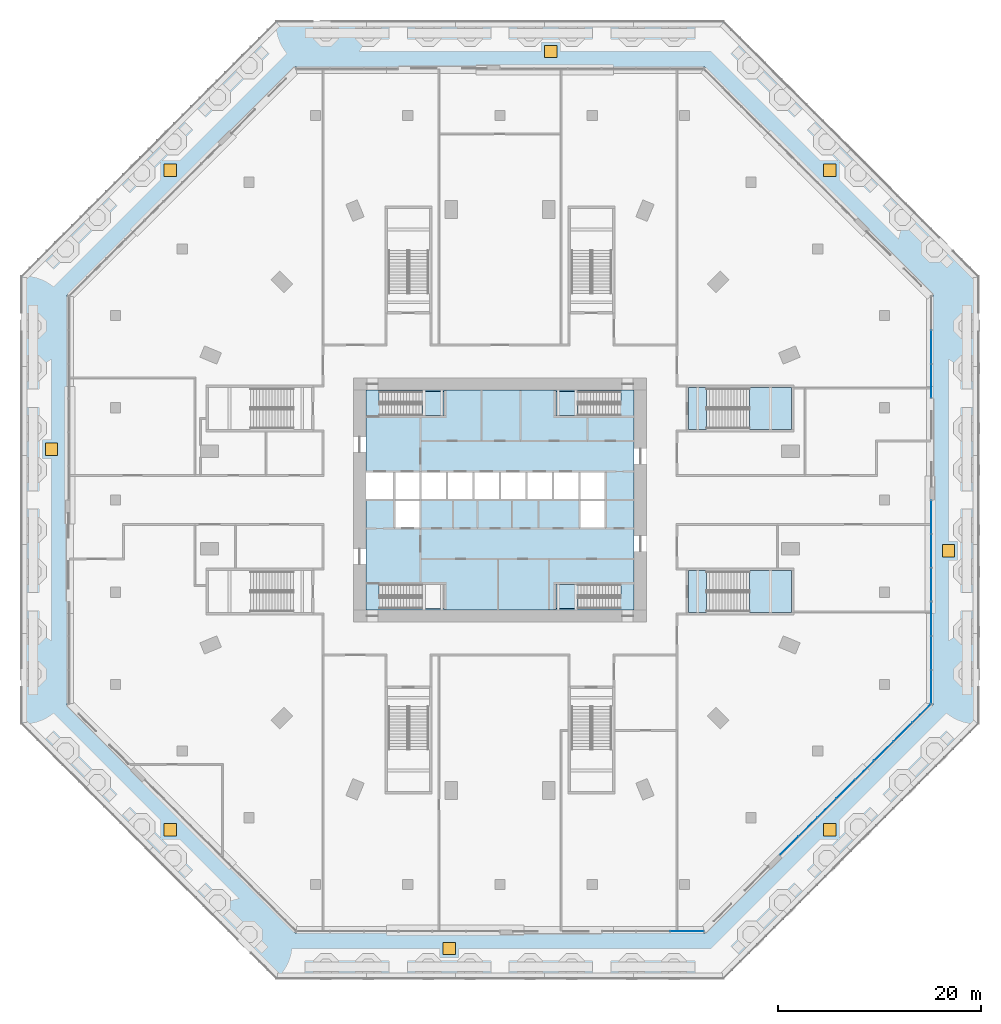
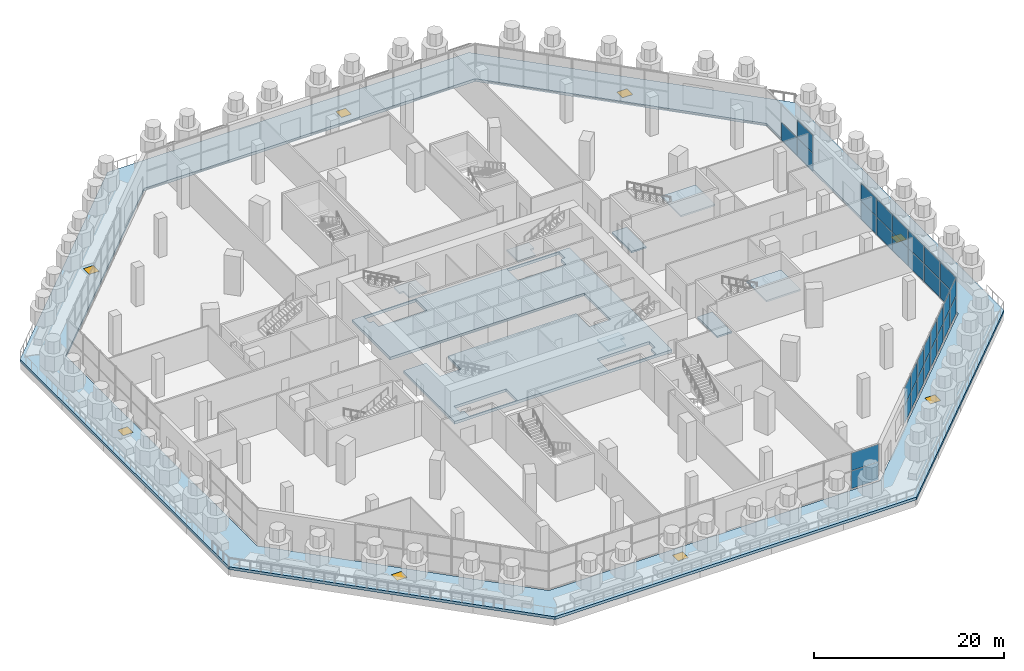
# One storey, part 19 of 32: 33 plates, 9 slabs, 8 windows, 8 openings, 11 elements without a shape of their own.
"""IFC4 building model written with IfcOpenShell, lengths in metres."""

from ifc_helpers import new_model, si_unit, direction, frame, origin, origin_2d, place, context, subcontext, project, spatial, polyline, rectangle, outline, extrude, material, layer, layer_set, type_object, element, fill, aggregate, save


model = new_model("IFC4")

# Units and contexts
model_context = context("Model", 3, precision=1e-05, world=origin(), true_north=direction((0.0, 1.0)))
body_context = subcontext(model_context, "Body", "Model", "MODEL_VIEW")
ifc_project = project(units=[si_unit("LENGTHUNIT", "METRE"), si_unit("AREAUNIT", "SQUARE_METRE"), si_unit("VOLUMEUNIT", "CUBIC_METRE"), si_unit("PLANEANGLEUNIT", "RADIAN"), si_unit("MASSUNIT", "GRAM", prefix="KILO")], contexts=[model_context])

# Site, building, storey
site_placement = place(None, origin())
site = spatial("IfcSite", under=ifc_project, at=site_placement, CompositionType="ELEMENT")
building_placement = place(site_placement, origin())
building = spatial("IfcBuilding", under=site, at=building_placement, Name="Msitu Wima Residences", CompositionType="ELEMENT")
storey_placement = place(building_placement, frame((0.0, 0.0, 6.0)))
storey = spatial("IfcBuildingStorey", under=building, at=storey_placement, Name="L01", CompositionType="ELEMENT", Elevation=6.0)

# Slab
ifc_material_1 = material(Name="Concrete C40/50", Category="concrete")
ifc_layer_1 = layer(ifc_material_1, 0.35009765625)
ifc_layer_set_1 = layer_set([ifc_layer_1], Name="Concrete C40/50")
slab_type_1 = type_object("IfcSlabType", Name="Core floor CF350", PredefinedType="FLOOR", material=ifc_layer_set_1)
slab_1_placement = place(storey_placement, frame((0.0, 0.0, -0.35009765625)))
element("IfcSlab", 1, at=slab_1_placement, inside=storey, type_object=slab_type_1, Name="Core floor", PredefinedType="FLOOR", context=body_context, shape_type="SweptSolid", body=[
    extrude(outline(polyline([(-13.199951171875, 10.800048828125), (-13.199951171875, 2.800048828125), (-10.39990234375, 2.800048828125), (-7.800048828125, 2.800048828125), (-5.199951171875, 2.800048828125), (-2.60009765625, 2.800048828125), (0.0, 2.800048828125), (2.60009765625, 2.800048828125), (5.199951171875, 2.800048828125), (7.800048828125, 2.800048828125), (10.39990234375, 2.800048828125), (10.39990234375, 0.0), (10.39990234375, -2.800048828125), (7.800048828125, -2.800048828125), (7.800048828125, 0.0), (5.199951171875, 0.0), (2.60009765625, 0.0), (0.0, 0.0), (-2.60009765625, 0.0), (-5.199951171875, 0.0), (-7.800048828125, 0.0), (-7.800048828125, -2.800048828125), (-10.39990234375, -2.800048828125), (-10.39990234375, 0.0), (-13.199951171875, 0.0), (-13.199951171875, -10.800048828125), (13.199951171875, -10.800048828125), (13.199951171875, 10.800048828125), (-13.199951171875, 10.800048828125)]), holes=[polyline([(-11.375, -10.675048828125), (-11.375, -9.574951171875), (-11.87451171875, -9.574951171875), (-11.87451171875, -8.324951171875), (-5.52490234375, -8.324951171875), (-5.52490234375, -10.675048828125), (-11.375, -10.675048828125)]), polyline([(-11.375, 9.425048828125), (-11.87451171875, 9.425048828125), (-11.87451171875, 10.675048828125), (-5.52490234375, 10.675048828125), (-5.52490234375, 8.324951171875), (-11.375, 8.324951171875), (-11.375, 9.425048828125)]), polyline([(11.375, -9.574951171875), (11.375, -10.675048828125), (5.52490234375, -10.675048828125), (5.52490234375, -8.324951171875), (11.87451171875, -8.324951171875), (11.87451171875, -9.574951171875), (11.375, -9.574951171875)]), polyline([(11.375, 9.425048828125), (11.375, 8.324951171875), (5.52490234375, 8.324951171875), (5.52490234375, 10.675048828125), (11.87451171875, 10.675048828125), (11.87451171875, 9.425048828125), (11.375, 9.425048828125)])]), origin(), (0.0, 0.0, 1.0), 0.35009765625),
])

# Curtain wall, plates
ifc_material_2 = material(Name="Anodised aluminium, bronze finish, clear low-emissivity double glazing", Category="aluminium")
curtain_wall_type = type_object("IfcCurtainWallType", Name="Curtain wall CW5 retail shopfront", PredefinedType="NOTDEFINED", material=ifc_material_2)
curtain_wall_1_placement = place(storey_placement, origin())
curtain_wall_1 = element("IfcCurtainWall", 2, at=curtain_wall_1_placement, inside=storey, type_object=curtain_wall_type, Name="Curtain wall CW5 L01 E0", PredefinedType="NOTDEFINED")
ifc_material_3 = material(Name="Clear low-emissivity double glazing", Category="glass")
ifc_layer_2 = layer(ifc_material_3, 0.031982421875)
ifc_layer_set_2 = layer_set([ifc_layer_2], Name="Clear low-emissivity double glazing")
plate_type = type_object("IfcPlateType", Name="Glass panel CW5 32", PredefinedType="CURTAIN_PANEL", material=ifc_layer_set_2)
plate_1_placement = place(storey_placement, frame((42.39990234375, -18.38720703125, 0.06494140625), z_axis=(0.0, 0.0, 1.0), x_axis=(0.0, 1.0, 0.0)))
plate_1 = element("IfcPlate", 3, at=plate_1_placement, type_object=plate_type, Name="CW5 panel 1.1", PredefinedType="CURTAIN_PANEL", context=body_context, shape_type="SweptSolid", body=[
    extrude(rectangle(XDim=3.265625, YDim=0.031982421875, at=origin_2d()), origin(), (0.0, 0.0, 1.0), 2.25244140625),
])
plate_2_placement = place(storey_placement, frame((42.39990234375, -18.38720703125, 2.382568359375), z_axis=(0.0, 0.0, 1.0), x_axis=(0.0, 1.0, 0.0)))
plate_2 = element("IfcPlate", 4, at=plate_2_placement, type_object=plate_type, Name="CW5 panel 1.2", PredefinedType="CURTAIN_PANEL", context=body_context, shape_type="SweptSolid", body=[
    extrude(rectangle(XDim=3.265625, YDim=0.031982421875, at=origin_2d()), origin(), (0.0, 0.0, 1.0), 2.25244140625),
])
plate_3_placement = place(storey_placement, frame((42.39990234375, -15.04052734375, 0.06494140625), z_axis=(0.0, 0.0, 1.0), x_axis=(0.0, 1.0, 0.0)))
plate_3 = element("IfcPlate", 5, at=plate_3_placement, type_object=plate_type, Name="CW5 panel 2.1", PredefinedType="CURTAIN_PANEL", context=body_context, shape_type="SweptSolid", body=[
    extrude(rectangle(XDim=3.298095703125, YDim=0.031982421875, at=origin_2d()), origin(), (0.0, 0.0, 1.0), 2.25244140625),
])
plate_4_placement = place(storey_placement, frame((42.39990234375, -15.04052734375, 2.382568359375), z_axis=(0.0, 0.0, 1.0), x_axis=(0.0, 1.0, 0.0)))
plate_4 = element("IfcPlate", 6, at=plate_4_placement, type_object=plate_type, Name="CW5 panel 2.2", PredefinedType="CURTAIN_PANEL", context=body_context, shape_type="SweptSolid", body=[
    extrude(rectangle(XDim=3.298095703125, YDim=0.031982421875, at=origin_2d()), origin(), (0.0, 0.0, 1.0), 2.25244140625),
])
plate_5_placement = place(storey_placement, frame((42.39990234375, -11.693603515625, 0.06494140625), z_axis=(0.0, 0.0, 1.0), x_axis=(0.0, 1.0, 0.0)))
plate_5 = element("IfcPlate", 7, at=plate_5_placement, type_object=plate_type, Name="CW5 panel 3.1", PredefinedType="CURTAIN_PANEL", context=body_context, shape_type="SweptSolid", body=[
    extrude(rectangle(XDim=3.265625, YDim=0.031982421875, at=origin_2d()), origin(), (0.0, 0.0, 1.0), 2.25244140625),
])
plate_6_placement = place(storey_placement, frame((42.39990234375, -11.693603515625, 2.382568359375), z_axis=(0.0, 0.0, 1.0), x_axis=(0.0, 1.0, 0.0)))
plate_6 = element("IfcPlate", 8, at=plate_6_placement, type_object=plate_type, Name="CW5 panel 3.2", PredefinedType="CURTAIN_PANEL", context=body_context, shape_type="SweptSolid", body=[
    extrude(rectangle(XDim=3.265625, YDim=0.031982421875, at=origin_2d()), origin(), (0.0, 0.0, 1.0), 2.25244140625),
])
aggregate(curtain_wall_1, [plate_1, plate_2, plate_3, plate_4, plate_5, plate_6])

curtain_wall_2_placement = place(storey_placement, origin())
curtain_wall_2 = element("IfcCurtainWall", 9, at=curtain_wall_2_placement, inside=storey, type_object=curtain_wall_type, Name="Curtain wall CW5 L01 E1", PredefinedType="NOTDEFINED")
plate_7_placement = place(storey_placement, frame((42.39990234375, -8.313720703125, 0.06494140625), z_axis=(0.0, 0.0, 1.0), x_axis=(0.0, 1.0, 0.0)))
plate_7 = element("IfcPlate", 10, at=plate_7_placement, type_object=plate_type, Name="CW5 panel 1.1", PredefinedType="CURTAIN_PANEL", context=body_context, shape_type="SweptSolid", body=[
    extrude(rectangle(XDim=3.234375, YDim=0.031982421875, at=origin_2d()), origin(), (0.0, 0.0, 1.0), 2.25244140625),
])
plate_8_placement = place(storey_placement, frame((42.39990234375, -8.313720703125, 2.382568359375), z_axis=(0.0, 0.0, 1.0), x_axis=(0.0, 1.0, 0.0)))
plate_8 = element("IfcPlate", 11, at=plate_8_placement, type_object=plate_type, Name="CW5 panel 1.2", PredefinedType="CURTAIN_PANEL", context=body_context, shape_type="SweptSolid", body=[
    extrude(rectangle(XDim=3.234375, YDim=0.031982421875, at=origin_2d()), origin(), (0.0, 0.0, 1.0), 2.25244140625),
])
plate_9_placement = place(storey_placement, frame((42.39990234375, -4.998046875, 0.06494140625), z_axis=(0.0, 0.0, 1.0), x_axis=(0.0, 1.0, 0.0)))
plate_9 = element("IfcPlate", 12, at=plate_9_placement, type_object=plate_type, Name="CW5 panel 2.1", PredefinedType="CURTAIN_PANEL", context=body_context, shape_type="SweptSolid", body=[
    extrude(rectangle(XDim=3.26708984375, YDim=0.031982421875, at=origin_2d()), origin(), (0.0, 0.0, 1.0), 2.25244140625),
])
plate_10_placement = place(storey_placement, frame((42.39990234375, -4.998046875, 2.382568359375), z_axis=(0.0, 0.0, 1.0), x_axis=(0.0, 1.0, 0.0)))
plate_10 = element("IfcPlate", 13, at=plate_10_placement, type_object=plate_type, Name="CW5 panel 2.2", PredefinedType="CURTAIN_PANEL", context=body_context, shape_type="SweptSolid", body=[
    extrude(rectangle(XDim=3.26708984375, YDim=0.031982421875, at=origin_2d()), origin(), (0.0, 0.0, 1.0), 2.25244140625),
])
plate_11_placement = place(storey_placement, frame((42.39990234375, -1.68212890625, 0.06494140625), z_axis=(0.0, 0.0, 1.0), x_axis=(0.0, 1.0, 0.0)))
plate_11 = element("IfcPlate", 14, at=plate_11_placement, type_object=plate_type, Name="CW5 panel 3.1", PredefinedType="CURTAIN_PANEL", context=body_context, shape_type="SweptSolid", body=[
    extrude(rectangle(XDim=3.234375, YDim=0.031982421875, at=origin_2d()), origin(), (0.0, 0.0, 1.0), 2.25244140625),
])
plate_12_placement = place(storey_placement, frame((42.39990234375, -1.68212890625, 2.382568359375), z_axis=(0.0, 0.0, 1.0), x_axis=(0.0, 1.0, 0.0)))
plate_12 = element("IfcPlate", 15, at=plate_12_placement, type_object=plate_type, Name="CW5 panel 3.2", PredefinedType="CURTAIN_PANEL", context=body_context, shape_type="SweptSolid", body=[
    extrude(rectangle(XDim=3.234375, YDim=0.031982421875, at=origin_2d()), origin(), (0.0, 0.0, 1.0), 2.25244140625),
])
aggregate(curtain_wall_2, [plate_7, plate_8, plate_9, plate_10, plate_11, plate_12])

curtain_wall_3_placement = place(storey_placement, origin())
curtain_wall_3 = element("IfcCurtainWall", 16, at=curtain_wall_3_placement, inside=storey, type_object=curtain_wall_type, Name="Curtain wall CW5 L01 E3", PredefinedType="NOTDEFINED")
plate_13_placement = place(storey_placement, frame((42.39990234375, 11.693603515625, 0.06494140625), z_axis=(0.0, 0.0, 1.0), x_axis=(0.0, 1.0, 0.0)))
plate_13 = element("IfcPlate", 17, at=plate_13_placement, type_object=plate_type, Name="CW5 panel 1.1", PredefinedType="CURTAIN_PANEL", context=body_context, shape_type="SweptSolid", body=[
    extrude(rectangle(XDim=3.265625, YDim=0.031982421875, at=origin_2d()), origin(), (0.0, 0.0, 1.0), 2.25244140625),
])
plate_14_placement = place(storey_placement, frame((42.39990234375, 11.693603515625, 2.382568359375), z_axis=(0.0, 0.0, 1.0), x_axis=(0.0, 1.0, 0.0)))
plate_14 = element("IfcPlate", 18, at=plate_14_placement, type_object=plate_type, Name="CW5 panel 1.2", PredefinedType="CURTAIN_PANEL", context=body_context, shape_type="SweptSolid", body=[
    extrude(rectangle(XDim=3.265625, YDim=0.031982421875, at=origin_2d()), origin(), (0.0, 0.0, 1.0), 2.25244140625),
])
plate_15_placement = place(storey_placement, frame((42.39990234375, 15.04052734375, 0.06494140625), z_axis=(0.0, 0.0, 1.0), x_axis=(0.0, 1.0, 0.0)))
plate_15 = element("IfcPlate", 19, at=plate_15_placement, type_object=plate_type, Name="CW5 panel 2.1", PredefinedType="CURTAIN_PANEL", context=body_context, shape_type="SweptSolid", body=[
    extrude(rectangle(XDim=3.298095703125, YDim=0.031982421875, at=origin_2d()), origin(), (0.0, 0.0, 1.0), 2.25244140625),
])
aggregate(curtain_wall_3, [plate_13, plate_14, plate_15])

curtain_wall_4_placement = place(storey_placement, origin())
curtain_wall_4 = element("IfcCurtainWall", 20, at=curtain_wall_4_placement, inside=storey, type_object=curtain_wall_type, Name="Curtain wall CW5 L01 S3", PredefinedType="NOTDEFINED")
plate_16_placement = place(storey_placement, frame((18.38720703125, -42.39990234375, 0.06494140625), z_axis=(0.0, 0.0, 1.0), x_axis=(1.0, 0.0, 0.0)))
plate_16 = element("IfcPlate", 21, at=plate_16_placement, type_object=plate_type, Name="CW5 panel 3.1", PredefinedType="CURTAIN_PANEL", context=body_context, shape_type="SweptSolid", body=[
    extrude(rectangle(XDim=3.265625, YDim=0.031982421875, at=origin_2d()), origin(), (0.0, 0.0, 1.0), 2.25244140625),
])
plate_17_placement = place(storey_placement, frame((18.38720703125, -42.39990234375, 2.382568359375), z_axis=(0.0, 0.0, 1.0), x_axis=(1.0, 0.0, 0.0)))
plate_17 = element("IfcPlate", 22, at=plate_17_placement, type_object=plate_type, Name="CW5 panel 3.2", PredefinedType="CURTAIN_PANEL", context=body_context, shape_type="SweptSolid", body=[
    extrude(rectangle(XDim=3.265625, YDim=0.031982421875, at=origin_2d()), origin(), (0.0, 0.0, 1.0), 2.25244140625),
])
aggregate(curtain_wall_4, [plate_16, plate_17])

curtain_wall_5_placement = place(storey_placement, origin())
curtain_wall_5 = element("IfcCurtainWall", 23, at=curtain_wall_5_placement, inside=storey, type_object=curtain_wall_type, Name="Curtain wall CW5 L01 SE1", PredefinedType="NOTDEFINED")
plate_18_placement = place(storey_placement, frame((28.439697265625, -33.99365234375, 0.06494140625), z_axis=(0.0, 0.0, 1.0), x_axis=(0.707106781187, 0.707106781187, 0.0)))
plate_18 = element("IfcPlate", 24, at=plate_18_placement, type_object=plate_type, Name="CW5 panel 1.1", PredefinedType="CURTAIN_PANEL", context=body_context, shape_type="SweptSolid", body=[
    extrude(rectangle(XDim=2.531494140625, YDim=0.031982421875, at=origin_2d()), origin(), (0.0, 0.0, 1.0), 2.25244140625),
])
plate_19_placement = place(storey_placement, frame((28.439697265625, -33.99365234375, 2.382568359375), z_axis=(0.0, 0.0, 1.0), x_axis=(0.707106781187, 0.707106781187, 0.0)))
plate_19 = element("IfcPlate", 25, at=plate_19_placement, type_object=plate_type, Name="CW5 panel 1.2", PredefinedType="CURTAIN_PANEL", context=body_context, shape_type="SweptSolid", body=[
    extrude(rectangle(XDim=2.531494140625, YDim=0.031982421875, at=origin_2d()), origin(), (0.0, 0.0, 1.0), 2.25244140625),
])
plate_20_placement = place(storey_placement, frame((30.287109375, -32.146240234375, 0.06494140625), z_axis=(0.0, 0.0, 1.0), x_axis=(0.707106781187, 0.707106781187, 0.0)))
plate_20 = element("IfcPlate", 26, at=plate_20_placement, type_object=plate_type, Name="CW5 panel 2.1", PredefinedType="CURTAIN_PANEL", context=body_context, shape_type="SweptSolid", body=[
    extrude(rectangle(XDim=2.56396484375, YDim=0.031982421875, at=origin_2d()), origin(), (0.0, 0.0, 1.0), 2.25244140625),
])
plate_21_placement = place(storey_placement, frame((30.287109375, -32.146240234375, 2.382568359375), z_axis=(0.0, 0.0, 1.0), x_axis=(0.707106781187, 0.707106781187, 0.0)))
plate_21 = element("IfcPlate", 27, at=plate_21_placement, type_object=plate_type, Name="CW5 panel 2.2", PredefinedType="CURTAIN_PANEL", context=body_context, shape_type="SweptSolid", body=[
    extrude(rectangle(XDim=2.56396484375, YDim=0.031982421875, at=origin_2d()), origin(), (0.0, 0.0, 1.0), 2.25244140625),
])
plate_22_placement = place(storey_placement, frame((32.146240234375, -30.287109375, 0.06494140625), z_axis=(0.0, 0.0, 1.0), x_axis=(0.707106781187, 0.707106781187, 0.0)))
plate_22 = element("IfcPlate", 28, at=plate_22_placement, type_object=plate_type, Name="CW5 panel 3.1", PredefinedType="CURTAIN_PANEL", context=body_context, shape_type="SweptSolid", body=[
    extrude(rectangle(XDim=2.56396484375, YDim=0.031982421875, at=origin_2d()), origin(), (0.0, 0.0, 1.0), 2.25244140625),
])
plate_23_placement = place(storey_placement, frame((32.146240234375, -30.287109375, 2.382568359375), z_axis=(0.0, 0.0, 1.0), x_axis=(0.707106781187, 0.707106781187, 0.0)))
plate_23 = element("IfcPlate", 29, at=plate_23_placement, type_object=plate_type, Name="CW5 panel 3.2", PredefinedType="CURTAIN_PANEL", context=body_context, shape_type="SweptSolid", body=[
    extrude(rectangle(XDim=2.56396484375, YDim=0.031982421875, at=origin_2d()), origin(), (0.0, 0.0, 1.0), 2.25244140625),
])
plate_24_placement = place(storey_placement, frame((33.99365234375, -28.439697265625, 0.06494140625), z_axis=(0.0, 0.0, 1.0), x_axis=(0.707106781187, 0.707106781187, 0.0)))
plate_24 = element("IfcPlate", 30, at=plate_24_placement, type_object=plate_type, Name="CW5 panel 4.1", PredefinedType="CURTAIN_PANEL", context=body_context, shape_type="SweptSolid", body=[
    extrude(rectangle(XDim=2.531494140625, YDim=0.031982421875, at=origin_2d()), origin(), (0.0, 0.0, 1.0), 2.25244140625),
])
plate_25_placement = place(storey_placement, frame((33.99365234375, -28.439697265625, 2.382568359375), z_axis=(0.0, 0.0, 1.0), x_axis=(0.707106781187, 0.707106781187, 0.0)))
plate_25 = element("IfcPlate", 31, at=plate_25_placement, type_object=plate_type, Name="CW5 panel 4.2", PredefinedType="CURTAIN_PANEL", context=body_context, shape_type="SweptSolid", body=[
    extrude(rectangle(XDim=2.531494140625, YDim=0.031982421875, at=origin_2d()), origin(), (0.0, 0.0, 1.0), 2.25244140625),
])
aggregate(curtain_wall_5, [plate_18, plate_19, plate_20, plate_21, plate_22, plate_23, plate_24, plate_25])

curtain_wall_6_placement = place(storey_placement, origin())
curtain_wall_6 = element("IfcCurtainWall", 32, at=curtain_wall_6_placement, inside=storey, type_object=curtain_wall_type, Name="Curtain wall CW5 L01 SE2", PredefinedType="NOTDEFINED")
plate_26_placement = place(storey_placement, frame((35.8837890625, -26.54931640625, 0.06494140625), z_axis=(0.0, 0.0, 1.0), x_axis=(0.707106781187, 0.707106781187, 0.0)))
plate_26 = element("IfcPlate", 33, at=plate_26_placement, type_object=plate_type, Name="CW5 panel 1.1", PredefinedType="CURTAIN_PANEL", context=body_context, shape_type="SweptSolid", body=[
    extrude(rectangle(XDim=2.554931640625, YDim=0.031982421875, at=origin_2d()), origin(), (0.0, 0.0, 1.0), 2.25244140625),
])
plate_27_placement = place(storey_placement, frame((35.8837890625, -26.54931640625, 2.382568359375), z_axis=(0.0, 0.0, 1.0), x_axis=(0.707106781187, 0.707106781187, 0.0)))
plate_27 = element("IfcPlate", 34, at=plate_27_placement, type_object=plate_type, Name="CW5 panel 1.2", PredefinedType="CURTAIN_PANEL", context=body_context, shape_type="SweptSolid", body=[
    extrude(rectangle(XDim=2.554931640625, YDim=0.031982421875, at=origin_2d()), origin(), (0.0, 0.0, 1.0), 2.25244140625),
])
plate_28_placement = place(storey_placement, frame((37.747802734375, -24.685302734375, 0.06494140625), z_axis=(0.0, 0.0, 1.0), x_axis=(0.707106781187, 0.707106781187, 0.0)))
plate_28 = element("IfcPlate", 35, at=plate_28_placement, type_object=plate_type, Name="CW5 panel 2.1", PredefinedType="CURTAIN_PANEL", context=body_context, shape_type="SweptSolid", body=[
    extrude(rectangle(XDim=2.58740234375, YDim=0.031982421875, at=origin_2d()), origin(), (0.0, 0.0, 1.0), 2.25244140625),
])
plate_29_placement = place(storey_placement, frame((37.747802734375, -24.685302734375, 2.382568359375), z_axis=(0.0, 0.0, 1.0), x_axis=(0.707106781187, 0.707106781187, 0.0)))
plate_29 = element("IfcPlate", 36, at=plate_29_placement, type_object=plate_type, Name="CW5 panel 2.2", PredefinedType="CURTAIN_PANEL", context=body_context, shape_type="SweptSolid", body=[
    extrude(rectangle(XDim=2.58740234375, YDim=0.031982421875, at=origin_2d()), origin(), (0.0, 0.0, 1.0), 2.25244140625),
])
plate_30_placement = place(storey_placement, frame((39.623291015625, -22.809814453125, 0.06494140625), z_axis=(0.0, 0.0, 1.0), x_axis=(0.707106781187, 0.707106781187, 0.0)))
plate_30 = element("IfcPlate", 37, at=plate_30_placement, type_object=plate_type, Name="CW5 panel 3.1", PredefinedType="CURTAIN_PANEL", context=body_context, shape_type="SweptSolid", body=[
    extrude(rectangle(XDim=2.58740234375, YDim=0.031982421875, at=origin_2d()), origin(), (0.0, 0.0, 1.0), 2.25244140625),
])
plate_31_placement = place(storey_placement, frame((39.623291015625, -22.809814453125, 2.382568359375), z_axis=(0.0, 0.0, 1.0), x_axis=(0.707106781187, 0.707106781187, 0.0)))
plate_31 = element("IfcPlate", 38, at=plate_31_placement, type_object=plate_type, Name="CW5 panel 3.2", PredefinedType="CURTAIN_PANEL", context=body_context, shape_type="SweptSolid", body=[
    extrude(rectangle(XDim=2.58740234375, YDim=0.031982421875, at=origin_2d()), origin(), (0.0, 0.0, 1.0), 2.25244140625),
])
plate_32_placement = place(storey_placement, frame((41.4873046875, -20.946044921875, 0.06494140625), z_axis=(0.0, 0.0, 1.0), x_axis=(0.707106781187, 0.707106781187, 0.0)))
plate_32 = element("IfcPlate", 39, at=plate_32_placement, type_object=plate_type, Name="CW5 panel 4.1", PredefinedType="CURTAIN_PANEL", context=body_context, shape_type="SweptSolid", body=[
    extrude(rectangle(XDim=2.554931640625, YDim=0.031982421875, at=origin_2d()), origin(), (0.0, 0.0, 1.0), 2.25244140625),
])
plate_33_placement = place(storey_placement, frame((41.4873046875, -20.946044921875, 2.382568359375), z_axis=(0.0, 0.0, 1.0), x_axis=(0.707106781187, 0.707106781187, 0.0)))
plate_33 = element("IfcPlate", 40, at=plate_33_placement, type_object=plate_type, Name="CW5 panel 4.2", PredefinedType="CURTAIN_PANEL", context=body_context, shape_type="SweptSolid", body=[
    extrude(rectangle(XDim=2.554931640625, YDim=0.031982421875, at=origin_2d()), origin(), (0.0, 0.0, 1.0), 2.25244140625),
])
aggregate(curtain_wall_6, [plate_26, plate_27, plate_28, plate_29, plate_30, plate_31, plate_32, plate_33])

# Stair, slab
stair_type_1 = type_object("IfcStairType", Name="Exit stair ES1667-110", PredefinedType="HALF_TURN_STAIR", material=ifc_material_1)
stair_1_placement = place(storey_placement, origin())
stair_1 = element("IfcStair", 41, at=stair_1_placement, inside=storey, type_object=stair_type_1, Name="Exit stair 1", PredefinedType="HALF_TURN_STAIR")
ifc_layer_3 = layer(ifc_material_1, 0.199951171875)
ifc_layer_set_3 = layer_set([ifc_layer_3], Name="Concrete C40/50")
slab_type_2 = type_object("IfcSlabType", Name="Stair landing SL200", PredefinedType="LANDING", material=ifc_layer_set_3)
slab_2_placement = place(storey_placement, frame((0.0, 0.0, 2.300048828125)))
slab_2 = element("IfcSlab", 42, at=slab_2_placement, type_object=slab_type_2, Name="S1 landing 1", PredefinedType="LANDING", context=body_context, shape_type="SweptSolid", body=[
    extrude(outline(polyline([(-5.52490234375, 8.324951171875), (-7.675537109375, 8.324951171875), (-7.675537109375, 9.5), (-8.175048828125, 9.5), (-8.175048828125, 10.675048828125), (-5.52490234375, 10.675048828125), (-5.52490234375, 8.324951171875)])), origin(), (0.0, 0.0, 1.0), 0.199951171875),
])
aggregate(stair_1, [slab_2])

stair_2_placement = place(storey_placement, origin())
stair_2 = element("IfcStair", 43, at=stair_2_placement, inside=storey, type_object=stair_type_1, Name="Exit stair 3", PredefinedType="HALF_TURN_STAIR")
slab_3_placement = place(storey_placement, frame((0.0, 0.0, 2.300048828125)))
slab_3 = element("IfcSlab", 44, at=slab_3_placement, type_object=slab_type_2, Name="S3 landing 1", PredefinedType="LANDING", context=body_context, shape_type="SweptSolid", body=[
    extrude(outline(polyline([(5.52490234375, 8.324951171875), (7.675537109375, 8.324951171875), (7.675537109375, 9.5), (8.175048828125, 9.5), (8.175048828125, 10.675048828125), (5.52490234375, 10.675048828125), (5.52490234375, 8.324951171875)])), origin(), (0.0, 0.0, 1.0), 0.199951171875),
])
aggregate(stair_2, [slab_3])

stair_3_placement = place(storey_placement, origin())
stair_3 = element("IfcStair", 45, at=stair_3_placement, inside=storey, type_object=stair_type_1, Name="Exit stair 4", PredefinedType="HALF_TURN_STAIR")
slab_4_placement = place(storey_placement, frame((0.0, 0.0, 2.300048828125)))
slab_4 = element("IfcSlab", 46, at=slab_4_placement, type_object=slab_type_2, Name="S4 landing 1", PredefinedType="LANDING", context=body_context, shape_type="SweptSolid", body=[
    extrude(outline(polyline([(5.52490234375, -10.675048828125), (7.675537109375, -10.675048828125), (7.675537109375, -9.5), (8.175048828125, -9.5), (8.175048828125, -8.324951171875), (5.52490234375, -8.324951171875), (5.52490234375, -10.675048828125)])), origin(), (0.0, 0.0, 1.0), 0.199951171875),
])
aggregate(stair_3, [slab_4])

stair_type_2 = type_object("IfcStairType", Name="Podium exit stair PX1667-190", PredefinedType="HALF_TURN_STAIR", material=ifc_material_1)
stair_4_placement = place(storey_placement, origin())
stair_4 = element("IfcStair", 47, at=stair_4_placement, inside=storey, type_object=stair_type_2, Name="Podium exit stair 1", PredefinedType="HALF_TURN_STAIR")
slab_5_placement = place(storey_placement, frame((0.0, 0.0, 2.300048828125)))
slab_5 = element("IfcSlab", 48, at=slab_5_placement, type_object=slab_type_2, Name="PS1 landing 1", PredefinedType="LANDING", context=body_context, shape_type="SweptSolid", body=[
    extrude(outline(polyline([(24.52490234375, 6.925048828125), (28.675048828125, 6.925048828125), (28.675048828125, 11.074951171875), (24.52490234375, 11.074951171875), (24.52490234375, 6.925048828125)])), origin(), (0.0, 0.0, 1.0), 0.199951171875),
])
aggregate(stair_4, [slab_5])

# Slab
slab_6_placement = place(storey_placement, frame((0.0, 0.0, -0.199951171875)))
element("IfcSlab", 49, at=slab_6_placement, inside=storey, type_object=slab_type_2, Name="Podium exit stair 1 floor landing", PredefinedType="LANDING", context=body_context, shape_type="SweptSolid", body=[
    extrude(outline(polyline([(18.52490234375, 6.925048828125), (20.324951171875, 6.925048828125), (20.324951171875, 11.074951171875), (18.52490234375, 11.074951171875), (18.52490234375, 6.925048828125)])), origin(), (0.0, 0.0, 1.0), 0.199951171875),
])

# Stair, slab
stair_5_placement = place(storey_placement, origin())
stair_5 = element("IfcStair", 50, at=stair_5_placement, inside=storey, type_object=stair_type_2, Name="Podium exit stair 2", PredefinedType="HALF_TURN_STAIR")
slab_7_placement = place(storey_placement, frame((0.0, 0.0, 2.300048828125)))
slab_7 = element("IfcSlab", 51, at=slab_7_placement, type_object=slab_type_2, Name="PS2 landing 1", PredefinedType="LANDING", context=body_context, shape_type="SweptSolid", body=[
    extrude(outline(polyline([(24.52490234375, -6.925048828125), (28.675048828125, -6.925048828125), (28.675048828125, -11.074951171875), (24.52490234375, -11.074951171875), (24.52490234375, -6.925048828125)])), origin(), (0.0, 0.0, 1.0), 0.199951171875),
])
aggregate(stair_5, [slab_7])

# Slab
slab_8_placement = place(storey_placement, frame((0.0, 0.0, -0.199951171875)))
element("IfcSlab", 52, at=slab_8_placement, inside=storey, type_object=slab_type_2, Name="Podium exit stair 2 floor landing", PredefinedType="LANDING", context=body_context, shape_type="SweptSolid", body=[
    extrude(outline(polyline([(18.52490234375, -6.925048828125), (20.324951171875, -6.925048828125), (20.324951171875, -11.074951171875), (18.52490234375, -11.074951171875), (18.52490234375, -6.925048828125)])), origin(), (0.0, 0.0, 1.0), 0.199951171875),
])

# Slab, openings, windows
ifc_layer_4 = layer(ifc_material_1, 0.35009765625)
ifc_layer_set_4 = layer_set([ifc_layer_4], Name="Concrete C40/50")
slab_type_3 = type_object("IfcSlabType", Name="Terrace roof slab TS350", PredefinedType="ROOF", material=ifc_layer_set_4)
slab_9_placement = place(storey_placement, frame((0.0, 0.0, -0.35009765625)))
slab_9 = element("IfcSlab", 53, at=slab_9_placement, inside=storey, type_object=slab_type_3, Name="Garden terrace L00 roof slab", PredefinedType="ROOF", context=body_context, shape_type="SweptSolid", body=[
    extrude(outline(polyline([(21.980224609375, -47.10009765625), (-21.980224609375, -47.10009765625), (-47.10009765625, -21.980224609375), (-47.10009765625, 21.980224609375), (-21.980224609375, 47.10009765625), (21.980224609375, 47.10009765625), (47.10009765625, 21.980224609375), (47.10009765625, -21.980224609375), (21.980224609375, -47.10009765625)]), holes=[polyline([(42.60009765625, 20.1162109375), (20.1162109375, 42.60009765625), (-20.1162109375, 42.60009765625), (-42.60009765625, 20.1162109375), (-42.60009765625, -20.1162109375), (-20.1162109375, -42.60009765625), (20.1162109375, -42.60009765625), (42.60009765625, -20.1162109375), (42.60009765625, 20.1162109375)])]), origin(), (0.0, 0.0, 1.0), 0.35009765625),
])
opening_1_placement = place(slab_9_placement, frame((44.10009765625, -4.998046875, 0.0)))
opening_1 = element("IfcOpeningElement", 54, at=opening_1_placement, cuts=slab_9, Name="Opening HL1", PredefinedType="OPENING", context=body_context, shape_type="SweptSolid", body=[
    extrude(rectangle(XDim=1.199951171875, YDim=1.199951171875, at=origin_2d()), origin(), (0.0, 0.0, 1.0), 0.35009765625),
])
opening_2_placement = place(slab_9_placement, frame((32.418701171875, 32.418701171875, 0.0)))
opening_2 = element("IfcOpeningElement", 55, at=opening_2_placement, cuts=slab_9, Name="Opening HL1", PredefinedType="OPENING", context=body_context, shape_type="SweptSolid", body=[
    extrude(rectangle(XDim=1.199951171875, YDim=1.199951171875, at=origin_2d()), origin(), (0.0, 0.0, 1.0), 0.35009765625),
])
opening_3_placement = place(slab_9_placement, frame((4.998046875, 44.10009765625, 0.0)))
opening_3 = element("IfcOpeningElement", 56, at=opening_3_placement, cuts=slab_9, Name="Opening HL1", PredefinedType="OPENING", context=body_context, shape_type="SweptSolid", body=[
    extrude(rectangle(XDim=1.199951171875, YDim=1.199951171875, at=origin_2d()), origin(), (0.0, 0.0, 1.0), 0.35009765625),
])
opening_4_placement = place(slab_9_placement, frame((-32.418701171875, 32.418701171875, 0.0)))
opening_4 = element("IfcOpeningElement", 57, at=opening_4_placement, cuts=slab_9, Name="Opening HL1", PredefinedType="OPENING", context=body_context, shape_type="SweptSolid", body=[
    extrude(rectangle(XDim=1.199951171875, YDim=1.199951171875, at=origin_2d()), origin(), (0.0, 0.0, 1.0), 0.35009765625),
])
opening_5_placement = place(slab_9_placement, frame((-44.10009765625, 4.998046875, 0.0)))
opening_5 = element("IfcOpeningElement", 58, at=opening_5_placement, cuts=slab_9, Name="Opening HL1", PredefinedType="OPENING", context=body_context, shape_type="SweptSolid", body=[
    extrude(rectangle(XDim=1.199951171875, YDim=1.199951171875, at=origin_2d()), origin(), (0.0, 0.0, 1.0), 0.35009765625),
])
opening_6_placement = place(slab_9_placement, frame((-32.418701171875, -32.418701171875, 0.0)))
opening_6 = element("IfcOpeningElement", 59, at=opening_6_placement, cuts=slab_9, Name="Opening HL1", PredefinedType="OPENING", context=body_context, shape_type="SweptSolid", body=[
    extrude(rectangle(XDim=1.199951171875, YDim=1.199951171875, at=origin_2d()), origin(), (0.0, 0.0, 1.0), 0.35009765625),
])
opening_7_placement = place(slab_9_placement, frame((-4.998046875, -44.10009765625, 0.0)))
opening_7 = element("IfcOpeningElement", 60, at=opening_7_placement, cuts=slab_9, Name="Opening HL1", PredefinedType="OPENING", context=body_context, shape_type="SweptSolid", body=[
    extrude(rectangle(XDim=1.199951171875, YDim=1.199951171875, at=origin_2d()), origin(), (0.0, 0.0, 1.0), 0.35009765625),
])
opening_8_placement = place(slab_9_placement, frame((32.418701171875, -32.418701171875, 0.0)))
opening_8 = element("IfcOpeningElement", 61, at=opening_8_placement, cuts=slab_9, Name="Opening HL1", PredefinedType="OPENING", context=body_context, shape_type="SweptSolid", body=[
    extrude(rectangle(XDim=1.199951171875, YDim=1.199951171875, at=origin_2d()), origin(), (0.0, 0.0, 1.0), 0.35009765625),
])
ifc_material_4 = material(Name="Laminated walk-on glass, bronze anodised frame", Category="glass")
window_type = type_object("IfcWindowType", Name="Rooflight SK1200x1200", PartitioningType="SINGLE_PANEL", PredefinedType="SKYLIGHT", material=ifc_material_4)
window_1_placement = place(opening_1_placement, frame((0.0, 0.0, 0.300048828125)))
window_1 = element("IfcWindow", 62, at=window_1_placement, inside=storey, type_object=window_type, Name="Rooflight L01 E", OverallHeight=1.199951171875, OverallWidth=1.199951171875, PartitioningType="SINGLE_PANEL", PredefinedType="SKYLIGHT", context=body_context, shape_type="SweptSolid", body=[
    extrude(rectangle(XDim=1.199951171875, YDim=1.199951171875, at=origin_2d()), origin(), (0.0, 0.0, 1.0), 0.050048828125),
])
fill(opening_1, window_1)
window_2_placement = place(opening_2_placement, frame((0.0, 0.0, 0.300048828125)))
window_2 = element("IfcWindow", 63, at=window_2_placement, inside=storey, type_object=window_type, Name="Rooflight L01 NE", OverallHeight=1.199951171875, OverallWidth=1.199951171875, PartitioningType="SINGLE_PANEL", PredefinedType="SKYLIGHT", context=body_context, shape_type="SweptSolid", body=[
    extrude(rectangle(XDim=1.199951171875, YDim=1.199951171875, at=origin_2d()), origin(), (0.0, 0.0, 1.0), 0.050048828125),
])
fill(opening_2, window_2)
window_3_placement = place(opening_3_placement, frame((0.0, 0.0, 0.300048828125)))
window_3 = element("IfcWindow", 64, at=window_3_placement, inside=storey, type_object=window_type, Name="Rooflight L01 N", OverallHeight=1.199951171875, OverallWidth=1.199951171875, PartitioningType="SINGLE_PANEL", PredefinedType="SKYLIGHT", context=body_context, shape_type="SweptSolid", body=[
    extrude(rectangle(XDim=1.199951171875, YDim=1.199951171875, at=origin_2d()), origin(), (0.0, 0.0, 1.0), 0.050048828125),
])
fill(opening_3, window_3)
window_4_placement = place(opening_4_placement, frame((0.0, 0.0, 0.300048828125)))
window_4 = element("IfcWindow", 65, at=window_4_placement, inside=storey, type_object=window_type, Name="Rooflight L01 NW", OverallHeight=1.199951171875, OverallWidth=1.199951171875, PartitioningType="SINGLE_PANEL", PredefinedType="SKYLIGHT", context=body_context, shape_type="SweptSolid", body=[
    extrude(rectangle(XDim=1.199951171875, YDim=1.199951171875, at=origin_2d()), origin(), (0.0, 0.0, 1.0), 0.050048828125),
])
fill(opening_4, window_4)
window_5_placement = place(opening_5_placement, frame((0.0, 0.0, 0.300048828125)))
window_5 = element("IfcWindow", 66, at=window_5_placement, inside=storey, type_object=window_type, Name="Rooflight L01 W", OverallHeight=1.199951171875, OverallWidth=1.199951171875, PartitioningType="SINGLE_PANEL", PredefinedType="SKYLIGHT", context=body_context, shape_type="SweptSolid", body=[
    extrude(rectangle(XDim=1.199951171875, YDim=1.199951171875, at=origin_2d()), origin(), (0.0, 0.0, 1.0), 0.050048828125),
])
fill(opening_5, window_5)
window_6_placement = place(opening_6_placement, frame((0.0, 0.0, 0.300048828125)))
window_6 = element("IfcWindow", 67, at=window_6_placement, inside=storey, type_object=window_type, Name="Rooflight L01 SW", OverallHeight=1.199951171875, OverallWidth=1.199951171875, PartitioningType="SINGLE_PANEL", PredefinedType="SKYLIGHT", context=body_context, shape_type="SweptSolid", body=[
    extrude(rectangle(XDim=1.199951171875, YDim=1.199951171875, at=origin_2d()), origin(), (0.0, 0.0, 1.0), 0.050048828125),
])
fill(opening_6, window_6)
window_7_placement = place(opening_7_placement, frame((0.0, 0.0, 0.300048828125)))
window_7 = element("IfcWindow", 68, at=window_7_placement, inside=storey, type_object=window_type, Name="Rooflight L01 S", OverallHeight=1.199951171875, OverallWidth=1.199951171875, PartitioningType="SINGLE_PANEL", PredefinedType="SKYLIGHT", context=body_context, shape_type="SweptSolid", body=[
    extrude(rectangle(XDim=1.199951171875, YDim=1.199951171875, at=origin_2d()), origin(), (0.0, 0.0, 1.0), 0.050048828125),
])
fill(opening_7, window_7)
window_8_placement = place(opening_8_placement, frame((0.0, 0.0, 0.300048828125)))
window_8 = element("IfcWindow", 69, at=window_8_placement, inside=storey, type_object=window_type, Name="Rooflight L01 SE", OverallHeight=1.199951171875, OverallWidth=1.199951171875, PartitioningType="SINGLE_PANEL", PredefinedType="SKYLIGHT", context=body_context, shape_type="SweptSolid", body=[
    extrude(rectangle(XDim=1.199951171875, YDim=1.199951171875, at=origin_2d()), origin(), (0.0, 0.0, 1.0), 0.050048828125),
])
fill(opening_8, window_8)

save(model, "model.ifc")
